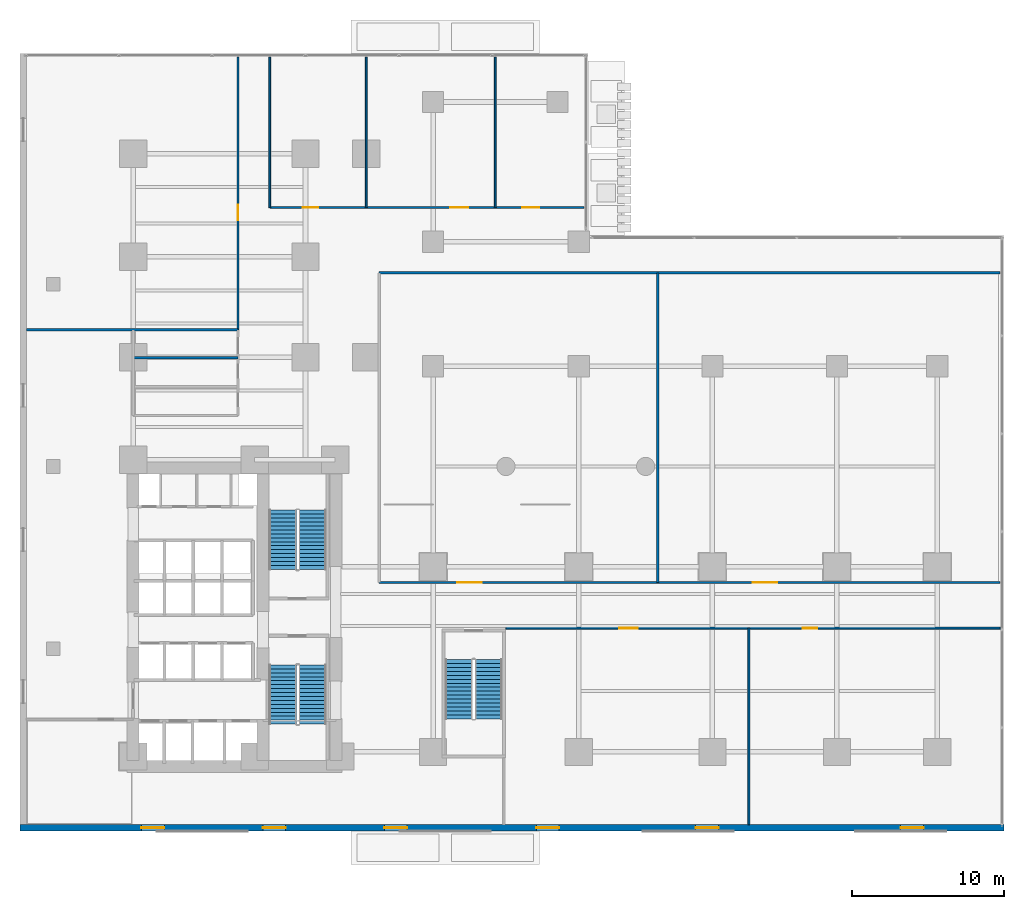
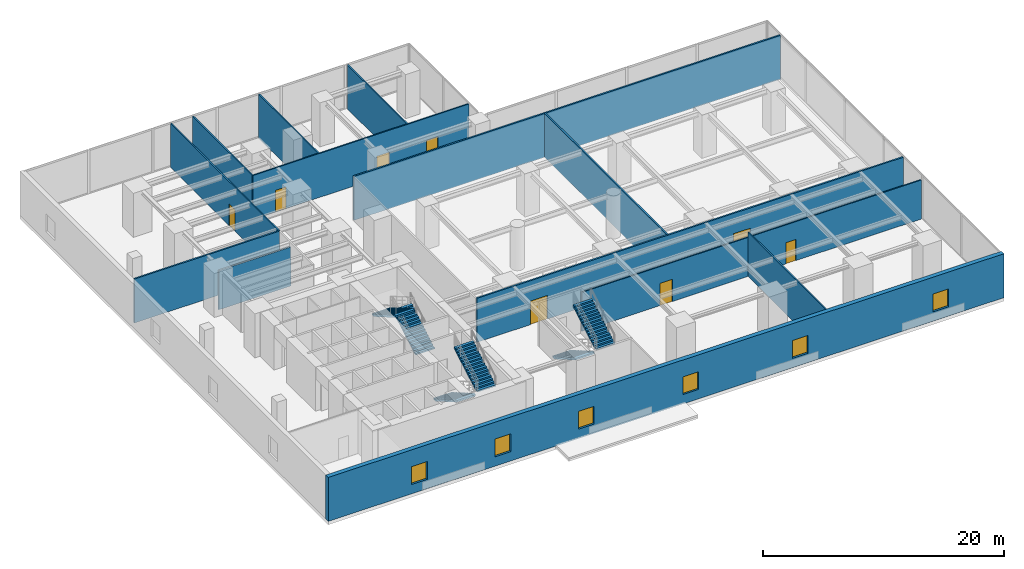
# One storey, part 14 of 17: 13 walls, 8 doors, 6 stair flights, 6 windows, 14 openings, 3 elements without a shape of their own.
"""IFC4 building model written with IfcOpenShell, lengths in metres."""

from ifc_helpers import new_model, si_unit, direction, frame, frame_2d, origin, place, context, subcontext, project, spatial, polyline, rectangle, outline, extrude, material, layer, layer_set, type_object, element, fill, aggregate, save


model = new_model("IFC4")

# Units and contexts
model_context = context("Model", 3, precision=1e-05, world=origin(), true_north=direction((0.0, 1.0)))
body_context = subcontext(model_context, "Body", "Model", "MODEL_VIEW")
ifc_project = project(units=[si_unit("LENGTHUNIT", "METRE"), si_unit("AREAUNIT", "SQUARE_METRE"), si_unit("VOLUMEUNIT", "CUBIC_METRE"), si_unit("PLANEANGLEUNIT", "RADIAN"), si_unit("MASSUNIT", "GRAM", prefix="KILO")], contexts=[model_context])

# Site, building, storey
site_placement = place(None, origin())
site = spatial("IfcSite", under=ifc_project, at=site_placement, CompositionType="ELEMENT")
building_placement = place(site_placement, origin())
building = spatial("IfcBuilding", under=site, at=building_placement, Name="Kolvaren Waterfront Exchange", CompositionType="ELEMENT")
storey_placement = place(building_placement, frame((0.0, 0.0, 5.60009765625)))
storey = spatial("IfcBuildingStorey", under=building, at=storey_placement, Name="L02", CompositionType="ELEMENT", Elevation=5.60009765625)

# Wall, openings, windows
ifc_material_1 = material(Name="Precast concrete C40/50", Category="concrete")
ifc_layer_1 = layer(ifc_material_1, 0.419921875, Name="Precast concrete C40/50")
ifc_layer_set_1 = layer_set([ifc_layer_1], Name="Precast concrete C40/50")
wall_type_1 = type_object("IfcWallType", Name="ARC-EXT-GRANITE-420", PredefinedType="SOLIDWALL", material=ifc_layer_set_1)
wall_1_placement = place(storey_placement, frame((0.0, 0.2099609375, 0.0), z_axis=(0.0, 0.0, 1.0), x_axis=(1.0, 0.0, 0.0)))
wall_1 = element("IfcWall", 1, at=wall_1_placement, inside=storey, type_object=wall_type_1, Name="L02 south granite precast facade wall", PredefinedType="SOLIDWALL", context=body_context, shape_type="SweptSolid", body=[
    extrude(rectangle(XDim=64.800048828125, YDim=0.419921875, at=frame_2d((32.39990234375, 0.0))), origin(), (0.0, 0.0, 1.0), 4.4599609375),
])
opening_1_placement = place(wall_1_placement, frame((8.0, 0.0, 0.949951171875)))
opening_1 = element("IfcOpeningElement", 2, at=opening_1_placement, cuts=wall_1, Name="Opening W02", PredefinedType="OPENING", context=body_context, shape_type="SweptSolid", body=[
    extrude(rectangle(XDim=1.5, YDim=1.800048828125, at=frame_2d((0.75, 0.89990234375))), frame((0.0, 0.219970703125, 0.0), z_axis=(0.0, -1.0, 0.0), x_axis=(1.0, 0.0, 0.0)), (0.0, 0.0, 1.0), 0.43994140625),
])
opening_2_placement = place(wall_1_placement, frame((16.0, 0.0, 0.949951171875)))
opening_2 = element("IfcOpeningElement", 3, at=opening_2_placement, cuts=wall_1, Name="Opening W02", PredefinedType="OPENING", context=body_context, shape_type="SweptSolid", body=[
    extrude(rectangle(XDim=1.5, YDim=1.800048828125, at=frame_2d((0.75, 0.89990234375))), frame((0.0, 0.219970703125, 0.0), z_axis=(0.0, -1.0, 0.0), x_axis=(1.0, 0.0, 0.0)), (0.0, 0.0, 1.0), 0.43994140625),
])
opening_3_placement = place(wall_1_placement, frame((24.0, 0.0, 0.949951171875)))
opening_3 = element("IfcOpeningElement", 4, at=opening_3_placement, cuts=wall_1, Name="Opening W02", PredefinedType="OPENING", context=body_context, shape_type="SweptSolid", body=[
    extrude(rectangle(XDim=1.5, YDim=1.800048828125, at=frame_2d((0.75, 0.89990234375))), frame((0.0, 0.219970703125, 0.0), z_axis=(0.0, -1.0, 0.0), x_axis=(1.0, 0.0, 0.0)), (0.0, 0.0, 1.0), 0.43994140625),
])
opening_4_placement = place(wall_1_placement, frame((34.0, 0.0, 0.949951171875)))
opening_4 = element("IfcOpeningElement", 5, at=opening_4_placement, cuts=wall_1, Name="Opening W02", PredefinedType="OPENING", context=body_context, shape_type="SweptSolid", body=[
    extrude(rectangle(XDim=1.5, YDim=1.800048828125, at=frame_2d((0.75, 0.89990234375))), frame((0.0, 0.219970703125, 0.0), z_axis=(0.0, -1.0, 0.0), x_axis=(1.0, 0.0, 0.0)), (0.0, 0.0, 1.0), 0.43994140625),
])
opening_5_placement = place(wall_1_placement, frame((44.5, 0.0, 0.949951171875)))
opening_5 = element("IfcOpeningElement", 6, at=opening_5_placement, cuts=wall_1, Name="Opening W02", PredefinedType="OPENING", context=body_context, shape_type="SweptSolid", body=[
    extrude(rectangle(XDim=1.5, YDim=1.800048828125, at=frame_2d((0.75, 0.89990234375))), frame((0.0, 0.219970703125, 0.0), z_axis=(0.0, -1.0, 0.0), x_axis=(1.0, 0.0, 0.0)), (0.0, 0.0, 1.0), 0.43994140625),
])
opening_6_placement = place(wall_1_placement, frame((58.0, 0.0, 0.949951171875)))
opening_6 = element("IfcOpeningElement", 7, at=opening_6_placement, cuts=wall_1, Name="Opening W02", PredefinedType="OPENING", context=body_context, shape_type="SweptSolid", body=[
    extrude(rectangle(XDim=1.5, YDim=1.800048828125, at=frame_2d((0.75, 0.89990234375))), frame((0.0, 0.219970703125, 0.0), z_axis=(0.0, -1.0, 0.0), x_axis=(1.0, 0.0, 0.0)), (0.0, 0.0, 1.0), 0.43994140625),
])
ifc_material_2 = material(Name="Bronze solar control vision glass", Category="aluminium")
window_type = type_object("IfcWindowType", Name="ARC-WIN-1500x1800", PartitioningType="SINGLE_PANEL", PredefinedType="WINDOW", material=ifc_material_2)
window_1_placement = place(opening_1_placement, origin())
window_1 = element("IfcWindow", 8, at=window_1_placement, inside=storey, type_object=window_type, Name="L02 south modular window 1", OverallHeight=1.800048828125, OverallWidth=1.5, PartitioningType="SINGLE_PANEL", PredefinedType="WINDOW", context=body_context, shape_type="SweptSolid", body=[
    extrude(rectangle(XDim=1.5, YDim=1.800048828125, at=frame_2d((0.75, 0.89990234375))), frame((0.0, 0.030029296875, 0.0), z_axis=(0.0, -1.0, 0.0), x_axis=(1.0, 0.0, 0.0)), (0.0, 0.0, 1.0), 0.06005859375),
])
fill(opening_1, window_1)
window_2_placement = place(opening_2_placement, origin())
window_2 = element("IfcWindow", 9, at=window_2_placement, inside=storey, type_object=window_type, Name="L02 south modular window 2", OverallHeight=1.800048828125, OverallWidth=1.5, PartitioningType="SINGLE_PANEL", PredefinedType="WINDOW", context=body_context, shape_type="SweptSolid", body=[
    extrude(rectangle(XDim=1.5, YDim=1.800048828125, at=frame_2d((0.75, 0.89990234375))), frame((0.0, 0.030029296875, 0.0), z_axis=(0.0, -1.0, 0.0), x_axis=(1.0, 0.0, 0.0)), (0.0, 0.0, 1.0), 0.06005859375),
])
fill(opening_2, window_2)
window_3_placement = place(opening_3_placement, origin())
window_3 = element("IfcWindow", 10, at=window_3_placement, inside=storey, type_object=window_type, Name="L02 south modular window 3", OverallHeight=1.800048828125, OverallWidth=1.5, PartitioningType="SINGLE_PANEL", PredefinedType="WINDOW", context=body_context, shape_type="SweptSolid", body=[
    extrude(rectangle(XDim=1.5, YDim=1.800048828125, at=frame_2d((0.75, 0.89990234375))), frame((0.0, 0.030029296875, 0.0), z_axis=(0.0, -1.0, 0.0), x_axis=(1.0, 0.0, 0.0)), (0.0, 0.0, 1.0), 0.06005859375),
])
fill(opening_3, window_3)
window_4_placement = place(opening_4_placement, origin())
window_4 = element("IfcWindow", 11, at=window_4_placement, inside=storey, type_object=window_type, Name="L02 south modular window 4", OverallHeight=1.800048828125, OverallWidth=1.5, PartitioningType="SINGLE_PANEL", PredefinedType="WINDOW", context=body_context, shape_type="SweptSolid", body=[
    extrude(rectangle(XDim=1.5, YDim=1.800048828125, at=frame_2d((0.75, 0.89990234375))), frame((0.0, 0.030029296875, 0.0), z_axis=(0.0, -1.0, 0.0), x_axis=(1.0, 0.0, 0.0)), (0.0, 0.0, 1.0), 0.06005859375),
])
fill(opening_4, window_4)
window_5_placement = place(opening_5_placement, origin())
window_5 = element("IfcWindow", 12, at=window_5_placement, inside=storey, type_object=window_type, Name="L02 south modular window 5", OverallHeight=1.800048828125, OverallWidth=1.5, PartitioningType="SINGLE_PANEL", PredefinedType="WINDOW", context=body_context, shape_type="SweptSolid", body=[
    extrude(rectangle(XDim=1.5, YDim=1.800048828125, at=frame_2d((0.75, 0.89990234375))), frame((0.0, 0.030029296875, 0.0), z_axis=(0.0, -1.0, 0.0), x_axis=(1.0, 0.0, 0.0)), (0.0, 0.0, 1.0), 0.06005859375),
])
fill(opening_5, window_5)
window_6_placement = place(opening_6_placement, origin())
window_6 = element("IfcWindow", 13, at=window_6_placement, inside=storey, type_object=window_type, Name="L02 south modular window 6", OverallHeight=1.800048828125, OverallWidth=1.5, PartitioningType="SINGLE_PANEL", PredefinedType="WINDOW", context=body_context, shape_type="SweptSolid", body=[
    extrude(rectangle(XDim=1.5, YDim=1.800048828125, at=frame_2d((0.75, 0.89990234375))), frame((0.0, 0.030029296875, 0.0), z_axis=(0.0, -1.0, 0.0), x_axis=(1.0, 0.0, 0.0)), (0.0, 0.0, 1.0), 0.06005859375),
])
fill(opening_6, window_6)

# Wall, openings, doors
ifc_material_3 = material(Name="Acoustic gypsum steel stud", Category="steel")
ifc_layer_2 = layer(ifc_material_3, 0.125, Name="Acoustic gypsum steel stud")
ifc_layer_set_2 = layer_set([ifc_layer_2], Name="Acoustic gypsum steel stud")
wall_type_2 = type_object("IfcWallType", Name="ARC-PART-125", PredefinedType="PARTITIONING", material=ifc_layer_set_2)
wall_2_placement = place(storey_placement, frame((32.0, 13.35009765625, 0.0), z_axis=(0.0, 0.0, 1.0), x_axis=(1.0, 0.0, 0.0)))
wall_2 = element("IfcWall", 14, at=wall_2_placement, inside=storey, type_object=wall_type_2, Name="L02 interior wall PW-L02-POD-SE-N", PredefinedType="PARTITIONING", context=body_context, shape_type="SweptSolid", body=[
    extrude(rectangle(XDim=32.550048828125, YDim=0.125, at=frame_2d((16.27490234375, 0.0))), origin(), (0.0, 0.0, 1.0), 3.9599609375),
])
opening_7_placement = place(wall_2_placement, frame((7.47021484375, 0.0, 0.0)))
opening_7 = element("IfcOpeningElement", 15, at=opening_7_placement, cuts=wall_2, Name="Opening D05", PredefinedType="OPENING", context=body_context, shape_type="SweptSolid", body=[
    extrude(rectangle(XDim=1.199951171875, YDim=2.25, at=frame_2d((0.60009765625, 1.125))), frame((0.0, 0.072509765625, 0.0), z_axis=(0.0, -1.0, 0.0), x_axis=(1.0, 0.0, 0.0)), (0.0, 0.0, 1.0), 0.14501953125),
])
opening_8_placement = place(wall_2_placement, frame((19.5546875, 0.0, 0.0)))
opening_8 = element("IfcOpeningElement", 16, at=opening_8_placement, cuts=wall_2, Name="Opening D02", PredefinedType="OPENING", context=body_context, shape_type="SweptSolid", body=[
    extrude(rectangle(XDim=0.949951171875, YDim=2.14990234375, at=frame_2d((0.47509765625, 1.074951171875))), frame((0.0, 0.072509765625, 0.0), z_axis=(0.0, -1.0, 0.0), x_axis=(1.0, 0.0, 0.0)), (0.0, 0.0, 1.0), 0.14501953125),
])
ifc_material_4 = material(Name="Anodised bronze framed glass", Category="aluminium")
door_type_1 = type_object("IfcDoorType", Name="ARC-DR-1200", OperationType="NOTDEFINED", PredefinedType="DOOR", material=ifc_material_4)
door_1_placement = place(opening_7_placement, origin())
door_1 = element("IfcDoor", 17, at=door_1_placement, inside=storey, type_object=door_type_1, Name="L02 door DR-L02-PCONF-D (D05)", OperationType="SINGLE_SWING_RIGHT", OverallHeight=2.25, OverallWidth=1.199951171875, PredefinedType="DOOR", context=body_context, shape_type="SweptSolid", body=[
    extrude(rectangle(XDim=1.199951171875, YDim=2.25, at=frame_2d((0.60009765625, 1.125))), frame((0.0, 0.02490234375, 0.0), z_axis=(0.0, -1.0, 0.0), x_axis=(1.0, 0.0, 0.0)), (0.0, 0.0, 1.0), 0.050048828125),
])
fill(opening_7, door_1)
ifc_material_5 = material(Name="Oak veneer acoustic timber", Category="wood")
door_type_2 = type_object("IfcDoorType", Name="ARC-DR-950", OperationType="NOTDEFINED", PredefinedType="DOOR", material=ifc_material_5)
door_2_placement = place(opening_8_placement, origin())
door_2 = element("IfcDoor", 18, at=door_2_placement, inside=storey, type_object=door_type_2, Name="L02 door DR-L02-PPANT-D (D02)", OperationType="SINGLE_SWING_LEFT", OverallHeight=2.14990234375, OverallWidth=0.949951171875, PredefinedType="DOOR", context=body_context, shape_type="SweptSolid", body=[
    extrude(rectangle(XDim=0.949951171875, YDim=2.14990234375, at=frame_2d((0.47509765625, 1.074951171875))), frame((0.0, 0.02490234375, 0.0), z_axis=(0.0, -1.0, 0.0), x_axis=(1.0, 0.0, 0.0)), (0.0, 0.0, 1.0), 0.050048828125),
])
fill(opening_8, door_2)

# Wall
wall_3_placement = place(storey_placement, frame((48.0, 0.419921875, 0.0), z_axis=(0.0, 0.0, 1.0), x_axis=(0.0, 1.0, 0.0)))
element("IfcWall", 19, at=wall_3_placement, inside=storey, type_object=wall_type_2, Name="L02 interior wall PW-L02-POD-SE-MID", PredefinedType="PARTITIONING", context=body_context, shape_type="SweptSolid", body=[
    extrude(rectangle(XDim=12.93017578125, YDim=0.125, at=frame_2d((6.465087890625, 0.0))), origin(), (0.0, 0.0, 1.0), 4.4599609375),
])

# Wall, opening, door
wall_4_placement = place(storey_placement, frame((14.35009765625, 33.0, 0.0), z_axis=(0.0, 0.0, 1.0), x_axis=(0.0, 1.0, 0.0)))
wall_4 = element("IfcWall", 20, at=wall_4_placement, inside=storey, type_object=wall_type_2, Name="L02 interior wall PW-L02-POD-NW-E", PredefinedType="PARTITIONING", context=body_context, shape_type="SweptSolid", body=[
    extrude(rectangle(XDim=17.949951171875, YDim=0.125, at=frame_2d((8.97509765625, 0.0))), origin(), (0.0, 0.0, 1.0), 4.4599609375),
])
opening_9_placement = place(wall_4_placement, frame((7.220458984375, 0.0, 0.0)))
opening_9 = element("IfcOpeningElement", 21, at=opening_9_placement, cuts=wall_4, Name="Opening D03", PredefinedType="OPENING", context=body_context, shape_type="SweptSolid", body=[
    extrude(rectangle(XDim=1.0, YDim=2.199951171875, at=frame_2d((0.5, 1.10009765625))), frame((0.0, 0.072509765625, 0.0), z_axis=(0.0, -1.0, 0.0), x_axis=(1.0, 0.0, 0.0)), (0.0, 0.0, 1.0), 0.14501953125),
])
ifc_material_6 = material(Name="Oak veneer accessible timber", Category="wood")
door_type_3 = type_object("IfcDoorType", Name="ARC-DR-1000", OperationType="NOTDEFINED", PredefinedType="DOOR", material=ifc_material_6)
door_3_placement = place(opening_9_placement, origin())
door_3 = element("IfcDoor", 22, at=door_3_placement, inside=storey, type_object=door_type_3, Name="L02 door DR-L02-PIT-D (D03)", OperationType="SINGLE_SWING_RIGHT", OverallHeight=2.199951171875, OverallWidth=1.0, PredefinedType="DOOR", context=body_context, shape_type="SweptSolid", body=[
    extrude(rectangle(XDim=1.0, YDim=2.199951171875, at=frame_2d((0.5, 1.10009765625))), frame((0.0, 0.02490234375, 0.0), z_axis=(0.0, -1.0, 0.0), x_axis=(1.0, 0.0, 0.0)), (0.0, 0.0, 1.0), 0.050048828125),
])
fill(opening_9, door_3)

# Wall, openings, doors
wall_5_placement = place(storey_placement, frame((16.449951171875, 41.050048828125, 0.0), z_axis=(0.0, 0.0, 1.0), x_axis=(1.0, 0.0, 0.0)))
wall_5 = element("IfcWall", 23, at=wall_5_placement, inside=storey, type_object=wall_type_2, Name="L02 interior wall PW-L02-POD-NE-S", PredefinedType="PARTITIONING", context=body_context, shape_type="SweptSolid", body=[
    extrude(rectangle(XDim=20.699951171875, YDim=0.125, at=frame_2d((10.35009765625, 0.0))), origin(), (0.0, 0.0, 1.0), 4.4599609375),
])
opening_10_placement = place(wall_5_placement, frame((2.177978515625, 0.0, 0.0)))
opening_10 = element("IfcOpeningElement", 24, at=opening_10_placement, cuts=wall_5, Name="Opening D03", PredefinedType="OPENING", context=body_context, shape_type="SweptSolid", body=[
    extrude(rectangle(XDim=1.0, YDim=2.199951171875, at=frame_2d((0.5, 1.10009765625))), frame((0.0, 0.072509765625, 0.0), z_axis=(0.0, -1.0, 0.0), x_axis=(1.0, 0.0, 0.0)), (0.0, 0.0, 1.0), 0.14501953125),
])
opening_11_placement = place(wall_5_placement, frame((11.880859375, 0.0, 0.0)))
opening_11 = element("IfcOpeningElement", 25, at=opening_11_placement, cuts=wall_5, Name="Opening D05", PredefinedType="OPENING", context=body_context, shape_type="SweptSolid", body=[
    extrude(rectangle(XDim=1.199951171875, YDim=2.25, at=frame_2d((0.60009765625, 1.125))), frame((0.0, 0.072509765625, 0.0), z_axis=(0.0, -1.0, 0.0), x_axis=(1.0, 0.0, 0.0)), (0.0, 0.0, 1.0), 0.14501953125),
])
opening_12_placement = place(wall_5_placement, frame((16.62890625, 0.0, 0.0)))
opening_12 = element("IfcOpeningElement", 26, at=opening_12_placement, cuts=wall_5, Name="Opening D04", PredefinedType="OPENING", context=body_context, shape_type="SweptSolid", body=[
    extrude(rectangle(XDim=1.10009765625, YDim=2.199951171875, at=frame_2d((0.550048828125, 1.10009765625))), frame((0.0, 0.072509765625, 0.0), z_axis=(0.0, -1.0, 0.0), x_axis=(1.0, 0.0, 0.0)), (0.0, 0.0, 1.0), 0.14501953125),
])
door_4_placement = place(opening_10_placement, origin())
door_4 = element("IfcDoor", 27, at=door_4_placement, inside=storey, type_object=door_type_3, Name="L02 door DR-L02-POPS-D (D03)", OperationType="SINGLE_SWING_LEFT", OverallHeight=2.199951171875, OverallWidth=1.0, PredefinedType="DOOR", context=body_context, shape_type="SweptSolid", body=[
    extrude(rectangle(XDim=1.0, YDim=2.199951171875, at=frame_2d((0.5, 1.10009765625))), frame((0.0, 0.02490234375, 0.0), z_axis=(0.0, -1.0, 0.0), x_axis=(1.0, 0.0, 0.0)), (0.0, 0.0, 1.0), 0.050048828125),
])
fill(opening_10, door_4)
door_type_4 = type_object("IfcDoorType", Name="ARC-DR-1100", OperationType="NOTDEFINED", PredefinedType="DOOR", material=ifc_material_4)
door_5_placement = place(opening_12_placement, origin())
door_5 = element("IfcDoor", 28, at=door_5_placement, inside=storey, type_object=door_type_4, Name="L02 door DR-L02-PFOY2-D (D04)", OperationType="SINGLE_SWING_LEFT", OverallHeight=2.199951171875, OverallWidth=1.10009765625, PredefinedType="DOOR", context=body_context, shape_type="SweptSolid", body=[
    extrude(rectangle(XDim=1.10009765625, YDim=2.199951171875, at=frame_2d((0.550048828125, 1.10009765625))), frame((0.0, 0.02490234375, 0.0), z_axis=(0.0, -1.0, 0.0), x_axis=(1.0, 0.0, 0.0)), (0.0, 0.0, 1.0), 0.050048828125),
])
fill(opening_12, door_5)
door_6_placement = place(opening_11_placement, origin())
door_6 = element("IfcDoor", 29, at=door_6_placement, inside=storey, type_object=door_type_1, Name="L02 door DR-L02-PFOY1-D (D05)", OperationType="SINGLE_SWING_RIGHT", OverallHeight=2.25, OverallWidth=1.199951171875, PredefinedType="DOOR", context=body_context, shape_type="SweptSolid", body=[
    extrude(rectangle(XDim=1.199951171875, YDim=2.25, at=frame_2d((0.60009765625, 1.125))), frame((0.0, 0.02490234375, 0.0), z_axis=(0.0, -1.0, 0.0), x_axis=(1.0, 0.0, 0.0)), (0.0, 0.0, 1.0), 0.050048828125),
])
fill(opening_11, door_6)

# Walls
for number, where, z_axis, x_axis, name in (
    (30, (16.449951171875, 41.050048828125, 0.0), (0.0, 0.0, 1.0), (0.0, 1.0, 0.0), "L02 interior wall PW-L02-POD-NE-W0"),
    (31, (22.800048828125, 41.050048828125, 0.0), (0.0, 0.0, 1.0), (0.0, 1.0, 0.0), "L02 interior wall PW-L02-POD-NE-M1"),
    (32, (31.300048828125, 41.050048828125, 0.0), (0.0, 0.0, 1.0), (0.0, 1.0, 0.0), "L02 interior wall PW-L02-POD-NE-M2"),
):
    element("IfcWall", number, at=place(storey_placement, frame(where, z_axis=z_axis, x_axis=x_axis)), inside=storey, type_object=wall_type_2, Name=name, PredefinedType="PARTITIONING", context=body_context, shape_type="SweptSolid", body=[
        extrude(rectangle(XDim=9.89990234375, YDim=0.125, at=frame_2d((4.949951171875, 0.0))), origin(), (0.0, 0.0, 1.0), 4.4599609375),
    ])

# Wall, openings, doors
ifc_material_7 = material(Name="Gypsum fireboard steel stud", Category="steel")
ifc_layer_3 = layer(ifc_material_7, 0.14990234375, Name="Gypsum fireboard steel stud")
ifc_layer_set_3 = layer_set([ifc_layer_3], Name="Gypsum fireboard steel stud")
wall_type_3 = type_object("IfcWallType", Name="ARC-PART-150", PredefinedType="PARTITIONING", material=ifc_layer_set_3)
wall_6_placement = place(storey_placement, frame((23.64990234375, 16.35009765625, 0.0), z_axis=(0.0, 0.0, 1.0), x_axis=(1.0, 0.0, 0.0)))
wall_6 = element("IfcWall", 33, at=wall_6_placement, inside=storey, type_object=wall_type_3, Name="L02 interior wall PW-L02-POD-HALL-S", PredefinedType="PARTITIONING", context=body_context, shape_type="SweptSolid", body=[
    extrude(rectangle(XDim=40.900146484375, YDim=0.14990234375, at=frame_2d((20.4501953125, 0.0))), origin(), (0.0, 0.0, 1.0), 4.4599609375),
])
opening_13_placement = place(wall_6_placement, frame((5.14990234375, 0.0, 0.0)))
opening_13 = element("IfcOpeningElement", 34, at=opening_13_placement, cuts=wall_6, Name="Opening D07", PredefinedType="OPENING", context=body_context, shape_type="SweptSolid", body=[
    extrude(rectangle(XDim=1.60009765625, YDim=2.39990234375, at=frame_2d((0.800048828125, 1.199951171875))), frame((0.0, 0.0849609375, 0.0), z_axis=(0.0, -1.0, 0.0), x_axis=(1.0, 0.0, 0.0)), (0.0, 0.0, 1.0), 0.169921875),
])
opening_14_placement = place(wall_6_placement, frame((24.6201171875, 0.0, 0.0)))
opening_14 = element("IfcOpeningElement", 35, at=opening_14_placement, cuts=wall_6, Name="Opening D07", PredefinedType="OPENING", context=body_context, shape_type="SweptSolid", body=[
    extrude(rectangle(XDim=1.60009765625, YDim=2.39990234375, at=frame_2d((0.800048828125, 1.199951171875))), frame((0.0, 0.0849609375, 0.0), z_axis=(0.0, -1.0, 0.0), x_axis=(1.0, 0.0, 0.0)), (0.0, 0.0, 1.0), 0.169921875),
])
ifc_material_8 = material(Name="Anodised bronze double leaf", Category="aluminium")
door_type_5 = type_object("IfcDoorType", Name="ARC-DR-1600", OperationType="NOTDEFINED", PredefinedType="DOOR", material=ifc_material_8)
door_7_placement = place(opening_13_placement, origin())
door_7 = element("IfcDoor", 36, at=door_7_placement, inside=storey, type_object=door_type_5, Name="L02 door DR-L02-PM1-D (D07)", OperationType="SINGLE_SWING_RIGHT", OverallHeight=2.39990234375, OverallWidth=1.60009765625, PredefinedType="DOOR", context=body_context, shape_type="SweptSolid", body=[
    extrude(rectangle(XDim=1.60009765625, YDim=2.39990234375, at=frame_2d((0.800048828125, 1.199951171875))), frame((0.0, 0.02490234375, 0.0), z_axis=(0.0, -1.0, 0.0), x_axis=(1.0, 0.0, 0.0)), (0.0, 0.0, 1.0), 0.050048828125),
])
fill(opening_13, door_7)
door_8_placement = place(opening_14_placement, origin())
door_8 = element("IfcDoor", 37, at=door_8_placement, inside=storey, type_object=door_type_5, Name="L02 door DR-L02-PM2-D (D07)", OperationType="SINGLE_SWING_LEFT", OverallHeight=2.39990234375, OverallWidth=1.60009765625, PredefinedType="DOOR", context=body_context, shape_type="SweptSolid", body=[
    extrude(rectangle(XDim=1.60009765625, YDim=2.39990234375, at=frame_2d((0.800048828125, 1.199951171875))), frame((0.0, 0.02490234375, 0.0), z_axis=(0.0, -1.0, 0.0), x_axis=(1.0, 0.0, 0.0)), (0.0, 0.0, 1.0), 0.050048828125),
])
fill(opening_14, door_8)

# Walls
wall_7_placement = place(storey_placement, frame((42.0, 16.35009765625, 0.0), z_axis=(0.0, 0.0, 1.0), x_axis=(0.0, 1.0, 0.0)))
element("IfcWall", 38, at=wall_7_placement, inside=storey, type_object=wall_type_3, Name="L02 interior wall PW-L02-POD-HALL-MID", PredefinedType="PARTITIONING", context=body_context, shape_type="SweptSolid", body=[
    extrude(rectangle(XDim=20.39990234375, YDim=0.14990234375, at=frame_2d((10.199951171875, 0.0))), origin(), (0.0, 0.0, 1.0), 4.4599609375),
])
wall_8_placement = place(storey_placement, frame((23.64990234375, 36.75, 0.0), z_axis=(0.0, 0.0, 1.0), x_axis=(1.0, 0.0, 0.0)))
element("IfcWall", 39, at=wall_8_placement, inside=storey, type_object=wall_type_3, Name="L02 interior wall PW-L02-POD-HALL-N", PredefinedType="PARTITIONING", context=body_context, shape_type="SweptSolid", body=[
    extrude(rectangle(XDim=40.900146484375, YDim=0.14990234375, at=frame_2d((20.4501953125, 0.0))), origin(), (0.0, 0.0, 1.0), 4.4599609375),
])
ifc_material_9 = material(Name="Moisture-resistant gypsum stud")
ifc_layer_4 = layer(ifc_material_9, 0.14990234375, Name="Moisture-resistant gypsum stud")
ifc_layer_set_4 = layer_set([ifc_layer_4], Name="Moisture-resistant gypsum stud")
wall_type_4 = type_object("IfcWallType", Name="ARC-PLUMB-150", PredefinedType="PLUMBINGWALL", material=ifc_layer_set_4)
wall_9_placement = place(storey_placement, frame((7.449951171875, 31.14990234375, 0.0), z_axis=(0.0, 0.0, 1.0), x_axis=(1.0, 0.0, 0.0)))
element("IfcWall", 40, at=wall_9_placement, inside=storey, type_object=wall_type_4, Name="L02 interior wall PW-L02-WC-N2", PredefinedType="PLUMBINGWALL", context=body_context, shape_type="SweptSolid", body=[
    extrude(rectangle(XDim=6.900146484375, YDim=0.14990234375, at=frame_2d((3.4501953125, 0.0))), origin(), (0.0, 0.0, 1.0), 3.9599609375),
])
wall_10_placement = place(storey_placement, frame((0.419921875, 33.0, 0.0), z_axis=(0.0, 0.0, 1.0), x_axis=(1.0, 0.0, 0.0)))
element("IfcWall", 41, at=wall_10_placement, inside=storey, type_object=wall_type_4, Name="L02 interior wall PW-L02-WC-N3", PredefinedType="PLUMBINGWALL", context=body_context, shape_type="SweptSolid", body=[
    extrude(rectangle(XDim=13.93017578125, YDim=0.14990234375, at=frame_2d((6.965087890625, 0.0))), origin(), (0.0, 0.0, 1.0), 4.4599609375),
])

# Stair, stair flights
ifc_material_10 = material(Name="Concrete C40/50", Category="concrete")
stair_type = type_object("IfcStairType", Name="ARC-STAIR-4800", PredefinedType="HALF_TURN_STAIR", material=ifc_material_10)
stair_1_placement = place(storey_placement, origin())
stair_1 = element("IfcStair", 42, at=stair_1_placement, inside=storey, type_object=stair_type, Name="L02 Smoke-proof exit stair ST1", PredefinedType="HALF_TURN_STAIR")
stair_flight_type = type_object("IfcStairFlightType", Name="ARC-FLIGHT-4800", PredefinedType="STRAIGHT", material=ifc_material_10)
stair_flight_1_placement = place(storey_placement, frame((17.300048828125, 10.929931640625, 0.0), z_axis=(0.0, 0.0, 1.0), x_axis=(0.0, -1.0, 0.0)))
stair_flight_1 = element("IfcStairFlight", 43, at=stair_flight_1_placement, type_object=stair_flight_type, Name="ST1 flight 1", NumberOfRisers=16, NumberOfTreads=15, PredefinedType="STRAIGHT", RiserHeight=0.15, TreadLength=0.26, context=body_context, shape_type="SweptSolid", body=[
    extrude(outline(polyline([(0.0, 0.0), (0.0, 0.14990234375), (0.260009765625, 0.14990234375), (0.260009765625, 0.300048828125), (0.52001953125, 0.300048828125), (0.52001953125, 0.449951171875), (0.780029296875, 0.449951171875), (0.780029296875, 0.60009765625), (1.0400390625, 0.60009765625), (1.0400390625, 0.75), (1.300048828125, 0.75), (1.300048828125, 0.89990234375), (1.56005859375, 0.89990234375), (1.56005859375, 1.050048828125), (1.820068359375, 1.050048828125), (1.820068359375, 1.199951171875), (2.080078125, 1.199951171875), (2.080078125, 1.35009765625), (2.340087890625, 1.35009765625), (2.340087890625, 1.5), (2.60009765625, 1.5), (2.60009765625, 1.64990234375), (2.860107421875, 1.64990234375), (2.860107421875, 1.800048828125), (3.1201171875, 1.800048828125), (3.1201171875, 1.949951171875), (3.3798828125, 1.949951171875), (3.3798828125, 2.10009765625), (3.639892578125, 2.10009765625), (3.639892578125, 2.25), (3.89990234375, 2.25), (3.89990234375, 2.39990234375), (3.89990234375, 2.076904296875), (0.300048828125, 0.0), (0.0, 0.0)])), frame((0.0, 0.89990234375, 0.0), z_axis=(0.0, -1.0, 0.0), x_axis=(1.0, 0.0, 0.0)), (0.0, 0.0, 1.0), 1.800048828125),
])
stair_flight_2_placement = place(storey_placement, frame((19.260009765625, 7.030029296875, 2.39990234375), z_axis=(0.0, 0.0, 1.0), x_axis=(0.0, 1.0, 0.0)))
stair_flight_2 = element("IfcStairFlight", 44, at=stair_flight_2_placement, type_object=stair_flight_type, Name="ST1 flight 2", NumberOfRisers=16, NumberOfTreads=15, PredefinedType="STRAIGHT", RiserHeight=0.15, TreadLength=0.26, context=body_context, shape_type="SweptSolid", body=[
    extrude(outline(polyline([(0.0, 0.0), (0.0, 0.14990234375), (0.260009765625, 0.14990234375), (0.260009765625, 0.300048828125), (0.52001953125, 0.300048828125), (0.52001953125, 0.449951171875), (0.780029296875, 0.449951171875), (0.780029296875, 0.60009765625), (1.0400390625, 0.60009765625), (1.0400390625, 0.75), (1.300048828125, 0.75), (1.300048828125, 0.89990234375), (1.56005859375, 0.89990234375), (1.56005859375, 1.050048828125), (1.820068359375, 1.050048828125), (1.820068359375, 1.199951171875), (2.080078125, 1.199951171875), (2.080078125, 1.35009765625), (2.340087890625, 1.35009765625), (2.340087890625, 1.5), (2.60009765625, 1.5), (2.60009765625, 1.64990234375), (2.860107421875, 1.64990234375), (2.860107421875, 1.800048828125), (3.1201171875, 1.800048828125), (3.1201171875, 1.949951171875), (3.3798828125, 1.949951171875), (3.3798828125, 2.10009765625), (3.639892578125, 2.10009765625), (3.639892578125, 2.25), (3.89990234375, 2.25), (3.89990234375, 2.39990234375), (3.89990234375, 2.076904296875), (0.300048828125, 0.0), (0.0, 0.0)])), frame((0.0, 0.89990234375, 0.0), z_axis=(0.0, -1.0, 0.0), x_axis=(1.0, 0.0, 0.0)), (0.0, 0.0, 1.0), 1.800048828125),
])
aggregate(stair_1, [stair_flight_1, stair_flight_2])

stair_2_placement = place(storey_placement, origin())
stair_2 = element("IfcStair", 45, at=stair_2_placement, inside=storey, type_object=stair_type, Name="L02 Smoke-proof exit stair ST2", PredefinedType="HALF_TURN_STAIR")
stair_flight_3_placement = place(storey_placement, frame((19.260009765625, 17.219970703125, 0.0), z_axis=(0.0, 0.0, 1.0), x_axis=(0.0, 1.0, 0.0)))
stair_flight_3 = element("IfcStairFlight", 46, at=stair_flight_3_placement, type_object=stair_flight_type, Name="ST2 flight 1", NumberOfRisers=16, NumberOfTreads=15, PredefinedType="STRAIGHT", RiserHeight=0.15, TreadLength=0.26, context=body_context, shape_type="SweptSolid", body=[
    extrude(outline(polyline([(0.0, 0.0), (0.0, 0.14990234375), (0.260009765625, 0.14990234375), (0.260009765625, 0.300048828125), (0.52001953125, 0.300048828125), (0.52001953125, 0.449951171875), (0.780029296875, 0.449951171875), (0.780029296875, 0.60009765625), (1.0400390625, 0.60009765625), (1.0400390625, 0.75), (1.300048828125, 0.75), (1.300048828125, 0.89990234375), (1.56005859375, 0.89990234375), (1.56005859375, 1.050048828125), (1.820068359375, 1.050048828125), (1.820068359375, 1.199951171875), (2.080078125, 1.199951171875), (2.080078125, 1.35009765625), (2.340087890625, 1.35009765625), (2.340087890625, 1.5), (2.60009765625, 1.5), (2.60009765625, 1.64990234375), (2.860107421875, 1.64990234375), (2.860107421875, 1.800048828125), (3.1201171875, 1.800048828125), (3.1201171875, 1.949951171875), (3.3798828125, 1.949951171875), (3.3798828125, 2.10009765625), (3.639892578125, 2.10009765625), (3.639892578125, 2.25), (3.89990234375, 2.25), (3.89990234375, 2.39990234375), (3.89990234375, 2.076904296875), (0.300048828125, 0.0), (0.0, 0.0)])), frame((0.0, 0.89990234375, 0.0), z_axis=(0.0, -1.0, 0.0), x_axis=(1.0, 0.0, 0.0)), (0.0, 0.0, 1.0), 1.800048828125),
])
stair_flight_4_placement = place(storey_placement, frame((17.300048828125, 21.1201171875, 2.39990234375), z_axis=(0.0, 0.0, 1.0), x_axis=(0.0, -1.0, 0.0)))
stair_flight_4 = element("IfcStairFlight", 47, at=stair_flight_4_placement, type_object=stair_flight_type, Name="ST2 flight 2", NumberOfRisers=16, NumberOfTreads=15, PredefinedType="STRAIGHT", RiserHeight=0.15, TreadLength=0.26, context=body_context, shape_type="SweptSolid", body=[
    extrude(outline(polyline([(0.0, 0.0), (0.0, 0.14990234375), (0.260009765625, 0.14990234375), (0.260009765625, 0.300048828125), (0.52001953125, 0.300048828125), (0.52001953125, 0.449951171875), (0.780029296875, 0.449951171875), (0.780029296875, 0.60009765625), (1.0400390625, 0.60009765625), (1.0400390625, 0.75), (1.300048828125, 0.75), (1.300048828125, 0.89990234375), (1.56005859375, 0.89990234375), (1.56005859375, 1.050048828125), (1.820068359375, 1.050048828125), (1.820068359375, 1.199951171875), (2.080078125, 1.199951171875), (2.080078125, 1.35009765625), (2.340087890625, 1.35009765625), (2.340087890625, 1.5), (2.60009765625, 1.5), (2.60009765625, 1.64990234375), (2.860107421875, 1.64990234375), (2.860107421875, 1.800048828125), (3.1201171875, 1.800048828125), (3.1201171875, 1.949951171875), (3.3798828125, 1.949951171875), (3.3798828125, 2.10009765625), (3.639892578125, 2.10009765625), (3.639892578125, 2.25), (3.89990234375, 2.25), (3.89990234375, 2.39990234375), (3.89990234375, 2.076904296875), (0.300048828125, 0.0), (0.0, 0.0)])), frame((0.0, 0.89990234375, 0.0), z_axis=(0.0, -1.0, 0.0), x_axis=(1.0, 0.0, 0.0)), (0.0, 0.0, 1.0), 1.800048828125),
])
aggregate(stair_2, [stair_flight_3, stair_flight_4])

stair_3_placement = place(storey_placement, origin())
stair_3 = element("IfcStair", 48, at=stair_3_placement, inside=storey, type_object=stair_type, Name="L02 Exit stair ST3", PredefinedType="HALF_TURN_STAIR")
stair_flight_5_placement = place(storey_placement, frame((28.89990234375, 11.280029296875, 0.0), z_axis=(0.0, 0.0, 1.0), x_axis=(0.0, -1.0, 0.0)))
stair_flight_5 = element("IfcStairFlight", 49, at=stair_flight_5_placement, type_object=stair_flight_type, Name="ST3 flight 1", NumberOfRisers=16, NumberOfTreads=15, PredefinedType="STRAIGHT", RiserHeight=0.15, TreadLength=0.26, context=body_context, shape_type="SweptSolid", body=[
    extrude(outline(polyline([(0.0, 0.0), (0.0, 0.14990234375), (0.260009765625, 0.14990234375), (0.260009765625, 0.300048828125), (0.52001953125, 0.300048828125), (0.52001953125, 0.449951171875), (0.780029296875, 0.449951171875), (0.780029296875, 0.60009765625), (1.0400390625, 0.60009765625), (1.0400390625, 0.75), (1.300048828125, 0.75), (1.300048828125, 0.89990234375), (1.56005859375, 0.89990234375), (1.56005859375, 1.050048828125), (1.820068359375, 1.050048828125), (1.820068359375, 1.199951171875), (2.080078125, 1.199951171875), (2.080078125, 1.35009765625), (2.340087890625, 1.35009765625), (2.340087890625, 1.5), (2.60009765625, 1.5), (2.60009765625, 1.64990234375), (2.860107421875, 1.64990234375), (2.860107421875, 1.800048828125), (3.1201171875, 1.800048828125), (3.1201171875, 1.949951171875), (3.3798828125, 1.949951171875), (3.3798828125, 2.10009765625), (3.639892578125, 2.10009765625), (3.639892578125, 2.25), (3.89990234375, 2.25), (3.89990234375, 2.39990234375), (3.89990234375, 2.076904296875), (0.300048828125, 0.0), (0.0, 0.0)])), frame((0.0, 0.89990234375, 0.0), z_axis=(0.0, -1.0, 0.0), x_axis=(1.0, 0.0, 0.0)), (0.0, 0.0, 1.0), 1.800048828125),
])
stair_flight_6_placement = place(storey_placement, frame((30.860107421875, 7.3798828125, 2.39990234375), z_axis=(0.0, 0.0, 1.0), x_axis=(0.0, 1.0, 0.0)))
stair_flight_6 = element("IfcStairFlight", 50, at=stair_flight_6_placement, type_object=stair_flight_type, Name="ST3 flight 2", NumberOfRisers=16, NumberOfTreads=15, PredefinedType="STRAIGHT", RiserHeight=0.15, TreadLength=0.26, context=body_context, shape_type="SweptSolid", body=[
    extrude(outline(polyline([(0.0, 0.0), (0.0, 0.14990234375), (0.260009765625, 0.14990234375), (0.260009765625, 0.300048828125), (0.52001953125, 0.300048828125), (0.52001953125, 0.449951171875), (0.780029296875, 0.449951171875), (0.780029296875, 0.60009765625), (1.0400390625, 0.60009765625), (1.0400390625, 0.75), (1.300048828125, 0.75), (1.300048828125, 0.89990234375), (1.56005859375, 0.89990234375), (1.56005859375, 1.050048828125), (1.820068359375, 1.050048828125), (1.820068359375, 1.199951171875), (2.080078125, 1.199951171875), (2.080078125, 1.35009765625), (2.340087890625, 1.35009765625), (2.340087890625, 1.5), (2.60009765625, 1.5), (2.60009765625, 1.64990234375), (2.860107421875, 1.64990234375), (2.860107421875, 1.800048828125), (3.1201171875, 1.800048828125), (3.1201171875, 1.949951171875), (3.3798828125, 1.949951171875), (3.3798828125, 2.10009765625), (3.639892578125, 2.10009765625), (3.639892578125, 2.25), (3.89990234375, 2.25), (3.89990234375, 2.39990234375), (3.89990234375, 2.076904296875), (0.300048828125, 0.0), (0.0, 0.0)])), frame((0.0, 0.89990234375, 0.0), z_axis=(0.0, -1.0, 0.0), x_axis=(1.0, 0.0, 0.0)), (0.0, 0.0, 1.0), 1.800048828125),
])
aggregate(stair_3, [stair_flight_5, stair_flight_6])

save(model, "model.ifc")
